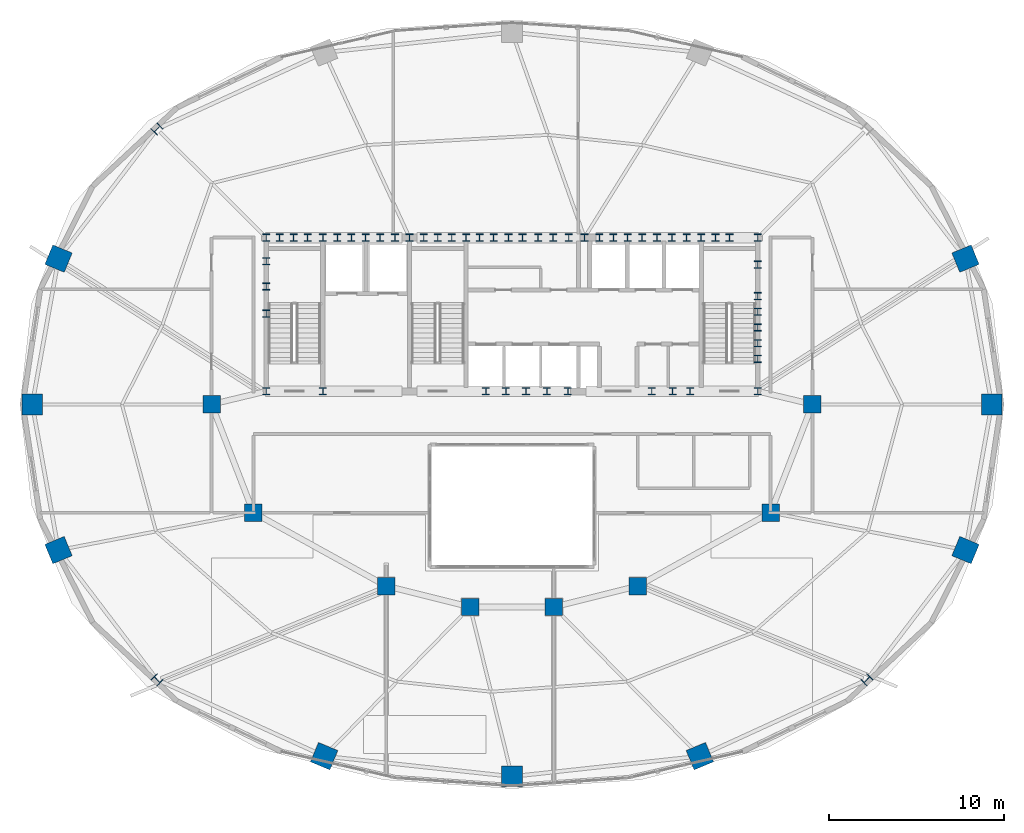
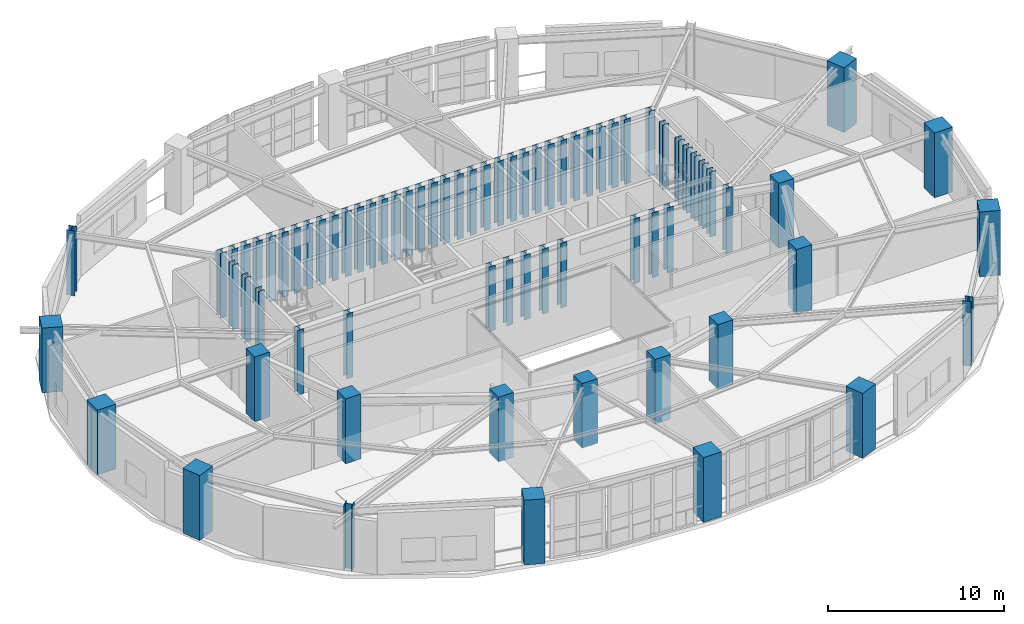
# One storey, part 1 of 16: 74 columns.
"""IFC4 building model written with IfcOpenShell, lengths in metres."""

import ifcopenshell
import ifcopenshell.guid

model = None  # the IFC model being written
_history = None  # IfcOwnerHistory: only IFC2X3 demands one
_inside = {}  # id of a spatial element -> (the spatial element, [elements in it])
_under = {}  # id of a project, library or spatial element -> (it, [spatial elements below it])
_declared = {}  # id of a project -> (the project, [libraries it declares])
_typed = {}  # id of a type object -> (the type object, [elements of that type])
_made_of = {}  # id of a material, layer set ... -> (it, [elements and type objects made of it])


def new_model(schema):
    """Start an empty IFC model of exactly this schema.

    Asked for "IFC4X3", IfcOpenShell would pick the latest addendum, in which some entities
    have other attributes; the version numbers below select the first issue.
    IFC2X3 requires an IfcOwnerHistory on every rooted entity: one is made here for all.
    """
    global model, _history
    if schema == "IFC4X3":
        model = ifcopenshell.file(schema_version=(4, 3, 0, 0))
    else:
        model = ifcopenshell.file(schema=schema)
    _inside.clear()
    _under.clear()
    _declared.clear()
    _typed.clear()
    _made_of.clear()
    _history = None
    if model.schema == "IFC2X3":
        org = make("IfcOrganization", Name="unknown")
        user = make(
            "IfcPersonAndOrganization",
            ThePerson=make("IfcPerson", FamilyName="unknown"),
            TheOrganization=org,
        )
        app = make(
            "IfcApplication",
            ApplicationDeveloper=org,
            Version="unknown",
            ApplicationFullName="unknown",
            ApplicationIdentifier="unknown",
        )
        _history = make(
            "IfcOwnerHistory",
            OwningUser=user,
            OwningApplication=app,
            ChangeAction="ADDED",
            CreationDate=0,
        )
    return model


def make(cls, **values):
    """One entity of the class cls with the attributes given. An attribute that is None is left unset."""
    return model.create_entity(
        cls, **{name: value for name, value in values.items() if value is not None}
    )


def rooted(cls, **values):
    """An entity with a GlobalId (a new one), such as an element, a storey or a relation."""
    return make(cls, GlobalId=ifcopenshell.guid.new(), OwnerHistory=_history, **values)


def si_unit(unit_type, name, prefix=None):
    """IfcSIUnit, for example si_unit("LENGTHUNIT", "METRE", prefix="MILLI")."""
    return make("IfcSIUnit", UnitType=unit_type, Prefix=prefix, Name=name)


def assignment(units):
    """IfcUnitAssignment: the units of a project."""
    return None if units is None else make("IfcUnitAssignment", Units=units)


def point(xyz):
    """IfcCartesianPoint."""
    return None if xyz is None else make("IfcCartesianPoint", Coordinates=xyz)


def direction(xyz):
    """IfcDirection."""
    return None if xyz is None else make("IfcDirection", DirectionRatios=xyz)


def frame(location, z_axis=None, x_axis=None):
    """IfcAxis2Placement3D, a coordinate frame: its origin and axes. An axis left out is left unset."""
    return make(
        "IfcAxis2Placement3D",
        Location=point(location),
        Axis=direction(z_axis),
        RefDirection=direction(x_axis),
    )


def frame_2d(location, x_axis=None):
    """IfcAxis2Placement2D, a coordinate frame in the plane: its origin and x axis."""
    return make(
        "IfcAxis2Placement2D", Location=point(location), RefDirection=direction(x_axis)
    )


def origin():
    """The frame at (0, 0, 0) with its axes left unset."""
    return frame((0.0, 0.0, 0.0))


def origin_2d():
    """The frame at (0, 0) in the plane with its x axis left unset."""
    return frame_2d((0.0, 0.0))


def place(relative_to, where):
    """IfcLocalPlacement: puts the frame where relative to a parent placement (None: the world)."""
    return make(
        "IfcLocalPlacement", PlacementRelTo=relative_to, RelativePlacement=where
    )


def context(
    kind, dimensions, precision=None, world=None, true_north=None, identifier=None
):
    """IfcGeometricRepresentationContext, for example the 3D "Model" context."""
    return make(
        "IfcGeometricRepresentationContext",
        ContextIdentifier=identifier,
        ContextType=kind,
        CoordinateSpaceDimension=dimensions,
        Precision=precision,
        WorldCoordinateSystem=world,
        TrueNorth=true_north,
    )


def subcontext(parent, identifier, kind, view, scale=None):
    """IfcGeometricRepresentationSubContext, for example "Body" below "Model"."""
    return make(
        "IfcGeometricRepresentationSubContext",
        ContextIdentifier=identifier,
        ContextType=kind,
        ParentContext=parent,
        TargetScale=scale,
        TargetView=view,
    )


def project(units=None, contexts=None):
    """IfcProject with its units and contexts."""
    return rooted(
        "IfcProject",
        Name="project",
        RepresentationContexts=contexts,
        UnitsInContext=assignment(units),
    )


def spatial(cls, under=None, at=None, **own):
    """A site, building, storey or space (cls), placed at a placement, below another one or the project."""
    s = rooted(cls, ObjectPlacement=at, **own)
    if under is not None:
        _under.setdefault(under.id(), (under, []))[1].append(s)
    return s


def profile(cls, at=None, kind="AREA", **sizes):
    """A parametric profile (cls). Its sizes go by their IFC names, for example OverallWidth=200.0."""
    return make(cls, ProfileType=kind, Position=at, **sizes)


def rectangle(**sizes):
    """IfcRectangleProfileDef."""
    return profile("IfcRectangleProfileDef", **sizes)


def i_section(**sizes):
    """IfcIShapeProfileDef."""
    return profile("IfcIShapeProfileDef", **sizes)


def extrude(swept, where, along, depth):
    """IfcExtrudedAreaSolid: the profile swept, set in the frame where, extruded along a direction by depth."""
    return make(
        "IfcExtrudedAreaSolid",
        SweptArea=swept,
        Position=where,
        ExtrudedDirection=direction(along),
        Depth=depth,
    )


def shape(context_of_items, identifier, shape_type, items):
    """IfcShapeRepresentation: the items that make up one representation, for example the "Body"."""
    return make(
        "IfcShapeRepresentation",
        ContextOfItems=context_of_items,
        RepresentationIdentifier=identifier,
        RepresentationType=shape_type,
        Items=items,
    )


def material(Name=None, Category=None):
    """IfcMaterial."""
    return make("IfcMaterial", Name=Name, Category=Category)


def material_profile(
    of_material, cross_section, Name=None, Category=None, Priority=None
):
    """IfcMaterialProfile: a cross section and its material."""
    return make(
        "IfcMaterialProfile",
        Name=Name,
        Material=of_material,
        Profile=cross_section,
        Priority=Priority,
        Category=Category,
    )


def profile_set(profiles, Name=None, composite=None):
    """IfcMaterialProfileSet."""
    return make(
        "IfcMaterialProfileSet",
        Name=Name,
        MaterialProfiles=profiles,
        CompositeProfile=composite,
    )


def made_of(thing, what):
    """Note that an element or type object is made of a material, layer set ...; save() writes the relation."""
    if what is not None:
        _made_of.setdefault(what.id(), (what, []))[1].append(thing)
    return thing


def type_object(cls, material=None, **own):
    """A type object (cls), such as IfcWallType, which elements share."""
    return made_of(rooted(cls, **own), material)


def element(
    cls,
    number,
    at=None,
    inside=None,
    cuts=None,
    type_object=None,
    material=None,
    context=None,
    identifier="Body",
    shape_type=None,
    held_by="IfcProductDefinitionShape",
    body=None,
    shapes=None,
    **own,
):
    """One element of the class cls, such as IfcWall. Its Tag is "e" and its number.

    at: its placement. inside: the storey or other place that contains it. cuts: it is an
    opening in that element (IfcRelVoidsElement). A single representation is given by context,
    identifier, shape_type and body (its items); several are given by shapes. held_by: the class
    of the entity that holds the representations. save() writes the other relations.
    """
    e = rooted(cls, Tag="e%d" % number, ObjectPlacement=at, **own)
    if body is not None:
        shapes = [shape(context, identifier, shape_type, body)]
    if shapes is not None:
        e.Representation = make(held_by, Representations=shapes)
    if inside is not None:
        _inside.setdefault(inside.id(), (inside, []))[1].append(e)
    if cuts is not None:
        rooted(
            "IfcRelVoidsElement", RelatingBuildingElement=cuts, RelatedOpeningElement=e
        )
    if type_object is not None:
        _typed.setdefault(type_object.id(), (type_object, []))[1].append(e)
    return made_of(e, material)


def aggregate(whole, parts):
    """IfcRelAggregates: a whole, such as a stair, and the parts it consists of."""
    return rooted("IfcRelAggregates", RelatingObject=whole, RelatedObjects=parts)


def save(model, path):
    """Write the relations noted so far, then the file.

    IfcRelAggregates (storeys below a building ...), IfcRelContainedInSpatialStructure (elements
    in a storey), IfcRelDefinesByType, IfcRelAssociatesMaterial and IfcRelDeclares: one each for
    every whole, place, type object, material and project.
    """
    for whole, parts in _under.values():
        aggregate(whole, parts)
    for where, things in _inside.values():
        rooted(
            "IfcRelContainedInSpatialStructure",
            RelatedElements=things,
            RelatingStructure=where,
        )
    for kind, things in _typed.values():
        rooted("IfcRelDefinesByType", RelatedObjects=things, RelatingType=kind)
    for what, things in _made_of.values():
        rooted("IfcRelAssociatesMaterial", RelatedObjects=things, RelatingMaterial=what)
    for by, libraries in _declared.values():
        rooted("IfcRelDeclares", RelatingContext=by, RelatedDefinitions=libraries)
    model.write(path)


model = new_model("IFC4")

# Units and contexts
model_context = context("Model", 3, precision=1e-05, world=origin(), true_north=direction((0.0, 1.0)))
body_context = subcontext(model_context, "Body", "Model", "MODEL_VIEW")
ifc_project = project(units=[si_unit("LENGTHUNIT", "METRE"), si_unit("AREAUNIT", "SQUARE_METRE"), si_unit("VOLUMEUNIT", "CUBIC_METRE"), si_unit("PLANEANGLEUNIT", "RADIAN"), si_unit("MASSUNIT", "GRAM", prefix="KILO")], contexts=[model_context])

# Site, building, storey
site_placement = place(None, origin())
site = spatial("IfcSite", under=ifc_project, at=site_placement, CompositionType="ELEMENT")
building_placement = place(site_placement, origin())
building = spatial("IfcBuilding", under=site, at=building_placement, Name="Haldorwick Loom Tower", CompositionType="ELEMENT")
storey_placement = place(building_placement, frame((0.0, 0.0, 200.35009765625)))
storey = spatial("IfcBuildingStorey", under=building, at=storey_placement, Name="L54", CompositionType="ELEMENT", Elevation=200.35009765625)

# Columns
ifc_material_1 = material(Name="Concrete C60 (60 MPa)", Category="concrete")
ifc_material_profile_1 = material_profile(ifc_material_1, rectangle(XDim=1.0, YDim=1.0, at=origin_2d()), Name="RC1000X1000", Category="concrete")
ifc_profile_set_1 = profile_set([ifc_material_profile_1], Name="Concrete C60 (60 MPa)")
column_type_1 = type_object("IfcColumnType", Name="STR-COL-RC1000", PredefinedType="COLUMN", material=ifc_profile_set_1)
for number, where, z_axis, x_axis, name in (
    (1, (53.199951171875, 26.0, 0.0), (0.0, 0.0, 1.0), (1.0, 0.0, 0.0), "L54 Inner Column IC-01"),
    (2, (50.800048828125, 19.800048828125, 0.0), (0.0, 0.0, 1.0), (1.0, 0.0, 0.0), "L54 Inner Column IC-02"),
    (3, (43.199951171875, 15.60009765625, 0.0), (0.0, 0.0, 1.0), (1.0, 0.0, 0.0), "L54 Inner Column IC-03"),
    (4, (38.39990234375, 14.39990234375, 0.0), (0.0, 0.0, 1.0), (1.0, 0.0, 0.0), "L54 Inner Column IC-04"),
    (5, (33.60009765625, 14.39990234375, 0.0), (0.0, 0.0, 1.0), (1.0, 0.0, 0.0), "L54 Inner Column IC-05"),
    (6, (28.800048828125, 15.60009765625, 0.0), (0.0, 0.0, 1.0), (1.0, 0.0, 0.0), "L54 Inner Column IC-06"),
    (7, (21.199951171875, 19.800048828125, 0.0), (0.0, 0.0, 1.0), (1.0, 0.0, 0.0), "L54 Inner Column IC-07"),
    (8, (18.800048828125, 26.0, 0.0), (0.0, 0.0, 1.0), (1.0, 0.0, 0.0), "L54 Inner Column IC-08"),
):
    element("IfcColumn", number, at=place(storey_placement, frame(where, z_axis=z_axis, x_axis=x_axis)), inside=storey, type_object=column_type_1, Name=name, PredefinedType="COLUMN", context=body_context, shape_type="SweptSolid", body=[
        extrude(rectangle(XDim=1.0, YDim=1.0, at=origin_2d()), origin(), (0.0, 0.0, 1.0), 4.5),
    ])
ifc_material_profile_2 = material_profile(ifc_material_1, rectangle(XDim=1.199951171875, YDim=1.199951171875, at=origin_2d()), Name="RC1200X1200", Category="concrete")
ifc_profile_set_2 = profile_set([ifc_material_profile_2], Name="Concrete C60 (60 MPa)")
column_type_2 = type_object("IfcColumnType", Name="STR-COL-RC1200", PredefinedType="COLUMN", material=ifc_profile_set_2)
for number, where, z_axis, x_axis, name in (
    (9, (63.46630859375, 26.0, 0.0), (0.0, 0.0, 1.0), (1.0, 0.0, 0.0), "L54 Perimeter Pier Column P01"),
    (10, (61.9609375, 34.342529296875, 0.0), (0.0, 0.0, 1.0), (0.923879532511, 0.382683432365, 0.0), "L54 Perimeter Pier Column P02"),
    (11, (10.0390625, 34.342529296875, 0.0), (0.0, 0.0, 1.0), (-0.923879532511, 0.382683432365, 0.0), "L54 Perimeter Pier Column P08"),
    (12, (8.53369140625, 26.0, 0.0), (0.0, 0.0, 1.0), (-1.0, 0.0, 0.0), "L54 Perimeter Pier Column P09"),
    (13, (10.0390625, 17.657470703125, 0.0), (0.0, 0.0, 1.0), (-0.923879532511, -0.382683432365, 0.0), "L54 Perimeter Pier Column P10"),
    (14, (25.24658203125, 5.859375, 0.0), (0.0, 0.0, 1.0), (-0.382683432365, -0.923879532511, 0.0), "L54 Perimeter Pier Column P12"),
    (15, (36.0, 4.695068359375, 0.0), (0.0, 0.0, 1.0), (0.0, -1.0, 0.0), "L54 Perimeter Pier Column P13"),
    (16, (46.75341796875, 5.859375, 0.0), (0.0, 0.0, 1.0), (0.382683432365, -0.923879532511, 0.0), "L54 Perimeter Pier Column P14"),
    (17, (61.9609375, 17.657470703125, 0.0), (0.0, 0.0, 1.0), (0.923879532511, -0.382683432365, 0.0), "L54 Perimeter Pier Column P16"),
):
    element("IfcColumn", number, at=place(storey_placement, frame(where, z_axis=z_axis, x_axis=x_axis)), inside=storey, type_object=column_type_2, Name=name, PredefinedType="COLUMN", context=body_context, shape_type="SweptSolid", body=[
        extrude(rectangle(XDim=1.199951171875, YDim=1.199951171875, at=origin_2d()), origin(), (0.0, 0.0, 1.0), 4.5),
    ])
ifc_material_2 = material(Name="Steel CSA G40.21 350W", Category="steel")
ifc_material_profile_3 = material_profile(ifc_material_2, i_section(OverallWidth=0.406005859375, OverallDepth=0.416015625, WebThickness=0.024169921875, FlangeThickness=0.03857421875, at=origin_2d()), Name="W360X382", Category="steel")
ifc_profile_set_3 = profile_set([ifc_material_profile_3], Name="Steel CSA G40.21 350W")
column_type_3 = type_object("IfcColumnType", Name="STR-COL-W360X382", PredefinedType="COLUMN", material=ifc_profile_set_3)
for number, where, z_axis, x_axis, name in (
    (18, (21.929931640625, 35.550048828125, 0.0), (0.0, 0.0, 1.0), (1.0, 0.0, 0.0), "L54 Core Pilaster CB-01"),
    (19, (23.5, 35.550048828125, 0.0), (0.0, 0.0, 1.0), (1.0, 0.0, 0.0), "L54 Core Pilaster CB-02"),
    (20, (25.169921875, 35.550048828125, 0.0), (0.0, 0.0, 1.0), (1.0, 0.0, 0.0), "L54 Core Pilaster CB-03"),
    (21, (26.800048828125, 35.550048828125, 0.0), (0.0, 0.0, 1.0), (1.0, 0.0, 0.0), "L54 Core Pilaster CB-04"),
    (22, (28.449951171875, 35.550048828125, 0.0), (0.0, 0.0, 1.0), (1.0, 0.0, 0.0), "L54 Core Pilaster CB-05"),
    (23, (30.1298828125, 35.550048828125, 0.0), (0.0, 0.0, 1.0), (1.0, 0.0, 0.0), "L54 Core Pilaster CB-06"),
    (24, (31.75, 35.550048828125, 0.0), (0.0, 0.0, 1.0), (1.0, 0.0, 0.0), "L54 Core Pilaster CB-07"),
    (25, (33.3701171875, 35.550048828125, 0.0), (0.0, 0.0, 1.0), (1.0, 0.0, 0.0), "L54 Core Pilaster CB-08"),
    (26, (34.949951171875, 35.550048828125, 0.0), (0.0, 0.0, 1.0), (1.0, 0.0, 0.0), "L54 Core Pilaster CB-09"),
    (27, (36.60009765625, 35.550048828125, 0.0), (0.0, 0.0, 1.0), (1.0, 0.0, 0.0), "L54 Core Pilaster CB-10"),
    (28, (38.35009765625, 35.550048828125, 0.0), (0.0, 0.0, 1.0), (1.0, 0.0, 0.0), "L54 Core Pilaster CB-11"),
    (29, (40.14990234375, 35.550048828125, 0.0), (0.0, 0.0, 1.0), (1.0, 0.0, 0.0), "L54 Core Pilaster CB-12"),
    (30, (41.800048828125, 35.550048828125, 0.0), (0.0, 0.0, 1.0), (1.0, 0.0, 0.0), "L54 Core Pilaster CB-13"),
    (31, (43.449951171875, 35.550048828125, 0.0), (0.0, 0.0, 1.0), (1.0, 0.0, 0.0), "L54 Core Pilaster CB-14"),
    (32, (45.14990234375, 35.550048828125, 0.0), (0.0, 0.0, 1.0), (1.0, 0.0, 0.0), "L54 Core Pilaster CB-15"),
    (33, (46.830078125, 35.550048828125, 0.0), (0.0, 0.0, 1.0), (1.0, 0.0, 0.0), "L54 Core Pilaster CB-16"),
    (34, (48.449951171875, 35.550048828125, 0.0), (0.0, 0.0, 1.0), (1.0, 0.0, 0.0), "L54 Core Pilaster CB-17"),
    (35, (50.070068359375, 35.550048828125, 0.0), (0.0, 0.0, 1.0), (1.0, 0.0, 0.0), "L54 Core Pilaster CB-18"),
    (36, (21.929931640625, 26.75, 0.0), (0.0, 0.0, 1.0), (1.0, 0.0, 0.0), "L54 Core Pilaster CB-19"),
    (37, (25.169921875, 26.75, 0.0), (0.0, 0.0, 1.0), (1.0, 0.0, 0.0), "L54 Core Pilaster CB-20"),
    (38, (34.5, 26.75, 0.0), (0.0, 0.0, 1.0), (1.0, 0.0, 0.0), "L54 Core Pilaster CB-21"),
    (39, (36.800048828125, 26.75, 0.0), (0.0, 0.0, 1.0), (1.0, 0.0, 0.0), "L54 Core Pilaster CB-22"),
    (40, (39.199951171875, 26.75, 0.0), (0.0, 0.0, 1.0), (1.0, 0.0, 0.0), "L54 Core Pilaster CB-23"),
    (41, (45.199951171875, 26.75, 0.0), (0.0, 0.0, 1.0), (1.0, 0.0, 0.0), "L54 Core Pilaster CB-24"),
    (42, (50.070068359375, 26.75, 0.0), (0.0, 0.0, 1.0), (1.0, 0.0, 0.0), "L54 Core Pilaster CB-25"),
    (43, (21.929931640625, 31.199951171875, 0.0), (0.0, 0.0, 1.0), (1.0, 0.0, 0.0), "L54 Core Pilaster CB-26"),
    (44, (21.929931640625, 32.75, 0.0), (0.0, 0.0, 1.0), (1.0, 0.0, 0.0), "L54 Core Pilaster CB-27"),
    (45, (21.929931640625, 34.199951171875, 0.0), (0.0, 0.0, 1.0), (1.0, 0.0, 0.0), "L54 Core Pilaster CB-28"),
    (46, (50.070068359375, 28.60009765625, 0.0), (0.0, 0.0, 1.0), (1.0, 0.0, 0.0), "L54 Core Pilaster CB-29"),
    (47, (50.070068359375, 30.39990234375, 0.0), (0.0, 0.0, 1.0), (1.0, 0.0, 0.0), "L54 Core Pilaster CB-30"),
    (48, (50.070068359375, 32.199951171875, 0.0), (0.0, 0.0, 1.0), (1.0, 0.0, 0.0), "L54 Core Pilaster CB-31"),
    (49, (50.070068359375, 34.0, 0.0), (0.0, 0.0, 1.0), (1.0, 0.0, 0.0), "L54 Core Pilaster CB-32"),
    (50, (22.699951171875, 35.550048828125, 0.0), (0.0, 0.0, 1.0), (1.0, 0.0, 0.0), "L54 Core Pilaster CB-33"),
    (51, (27.6201171875, 35.550048828125, 0.0), (0.0, 0.0, 1.0), (1.0, 0.0, 0.0), "L54 Core Pilaster CB-34"),
    (52, (32.550048828125, 35.550048828125, 0.0), (0.0, 0.0, 1.0), (1.0, 0.0, 0.0), "L54 Core Pilaster CB-35"),
    (53, (37.5, 35.550048828125, 0.0), (0.0, 0.0, 1.0), (1.0, 0.0, 0.0), "L54 Core Pilaster CB-36"),
    (54, (42.6201171875, 35.550048828125, 0.0), (0.0, 0.0, 1.0), (1.0, 0.0, 0.0), "L54 Core Pilaster CB-37"),
    (55, (47.64990234375, 35.550048828125, 0.0), (0.0, 0.0, 1.0), (1.0, 0.0, 0.0), "L54 Core Pilaster CB-38"),
    (56, (24.300048828125, 35.550048828125, 0.0), (0.0, 0.0, 1.0), (1.0, 0.0, 0.0), "L54 Core Pilaster CB-39"),
    (57, (26.0, 35.550048828125, 0.0), (0.0, 0.0, 1.0), (1.0, 0.0, 0.0), "L54 Core Pilaster CB-40"),
    (58, (29.300048828125, 35.550048828125, 0.0), (0.0, 0.0, 1.0), (1.0, 0.0, 0.0), "L54 Core Pilaster CB-41"),
    (59, (30.949951171875, 35.550048828125, 0.0), (0.0, 0.0, 1.0), (1.0, 0.0, 0.0), "L54 Core Pilaster CB-42"),
    (60, (34.14990234375, 35.550048828125, 0.0), (0.0, 0.0, 1.0), (1.0, 0.0, 0.0), "L54 Core Pilaster CB-43"),
    (61, (35.800048828125, 35.550048828125, 0.0), (0.0, 0.0, 1.0), (1.0, 0.0, 0.0), "L54 Core Pilaster CB-44"),
    (62, (39.25, 35.550048828125, 0.0), (0.0, 0.0, 1.0), (1.0, 0.0, 0.0), "L54 Core Pilaster CB-45"),
    (63, (41.0, 35.550048828125, 0.0), (0.0, 0.0, 1.0), (1.0, 0.0, 0.0), "L54 Core Pilaster CB-46"),
    (64, (44.300048828125, 35.550048828125, 0.0), (0.0, 0.0, 1.0), (1.0, 0.0, 0.0), "L54 Core Pilaster CB-47"),
    (65, (46.0, 35.550048828125, 0.0), (0.0, 0.0, 1.0), (1.0, 0.0, 0.0), "L54 Core Pilaster CB-48"),
    (66, (50.070068359375, 29.5, 0.0), (0.0, 0.0, 1.0), (1.0, 0.0, 0.0), "L54 Core Pilaster CB-49"),
    (67, (50.070068359375, 31.300048828125, 0.0), (0.0, 0.0, 1.0), (1.0, 0.0, 0.0), "L54 Core Pilaster CB-50"),
    (68, (35.64990234375, 26.75, 0.0), (0.0, 0.0, 1.0), (1.0, 0.0, 0.0), "L54 Core Pilaster CB-51"),
    (69, (38.0, 26.75, 0.0), (0.0, 0.0, 1.0), (1.0, 0.0, 0.0), "L54 Core Pilaster CB-52"),
    (70, (44.0, 26.75, 0.0), (0.0, 0.0, 1.0), (1.0, 0.0, 0.0), "L54 Core Pilaster CB-53"),
    (71, (46.199951171875, 26.75, 0.0), (0.0, 0.0, 1.0), (1.0, 0.0, 0.0), "L54 Core Pilaster CB-54"),
):
    element("IfcColumn", number, at=place(storey_placement, frame(where, z_axis=z_axis, x_axis=x_axis)), inside=storey, type_object=column_type_3, Name=name, PredefinedType="COLUMN", context=body_context, shape_type="SweptSolid", body=[
        extrude(i_section(OverallWidth=0.406005859375, OverallDepth=0.416015625, WebThickness=0.024169921875, FlangeThickness=0.03857421875, at=origin_2d()), origin(), (0.0, 0.0, 1.0), 4.5),
    ])
ifc_material_3 = material(Name="Steel CSA G40.21 350WT", Category="steel")
ifc_material_profile_4 = material_profile(ifc_material_3, i_section(OverallWidth=0.5, OverallDepth=0.5, WebThickness=0.02197265625, FlangeThickness=0.031982421875, at=origin_2d()), Name="WWF500X500", Category="steel")
ifc_profile_set_4 = profile_set([ifc_material_profile_4], Name="Steel CSA G40.21 350WT")
column_type_4 = type_object("IfcColumnType", Name="STR-COL-WWF500", PredefinedType="COLUMN", material=ifc_profile_set_4)
for number, where, z_axis, x_axis, name in (
    (72, (15.682373046875, 41.764892578125, 0.0), (0.0, 0.0, 1.0), (-0.707106781187, 0.707106781187, 0.0), "L54 Perimeter Pier Column P07"),
    (73, (15.682373046875, 10.235107421875, 0.0), (0.0, 0.0, 1.0), (-0.707106781187, -0.707106781187, 0.0), "L54 Perimeter Pier Column P11"),
    (74, (56.317626953125, 10.235107421875, 0.0), (0.0, 0.0, 1.0), (0.707106781187, -0.707106781187, 0.0), "L54 Perimeter Pier Column P15"),
):
    element("IfcColumn", number, at=place(storey_placement, frame(where, z_axis=z_axis, x_axis=x_axis)), inside=storey, type_object=column_type_4, Name=name, PredefinedType="COLUMN", context=body_context, shape_type="SweptSolid", body=[
        extrude(i_section(OverallWidth=0.5, OverallDepth=0.5, WebThickness=0.02197265625, FlangeThickness=0.031982421875, at=origin_2d()), origin(), (0.0, 0.0, 1.0), 4.5),
    ])

save(model, "model.ifc")
